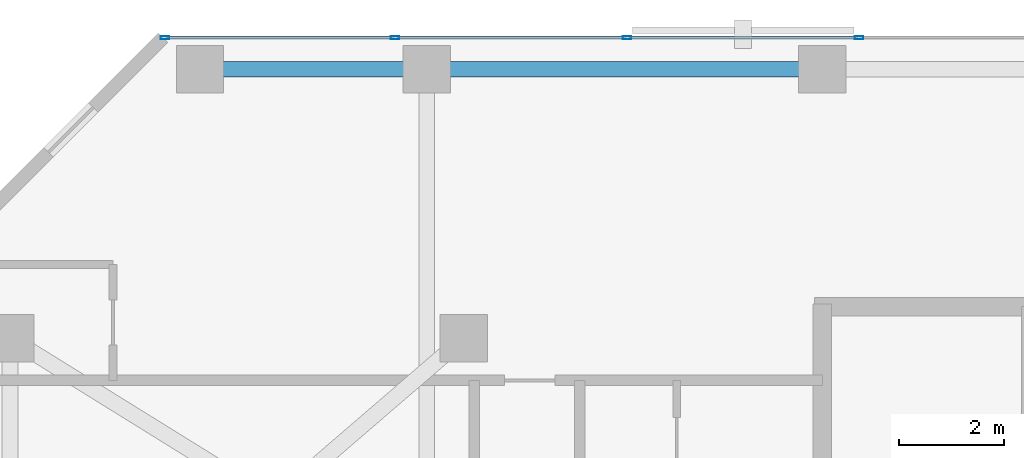
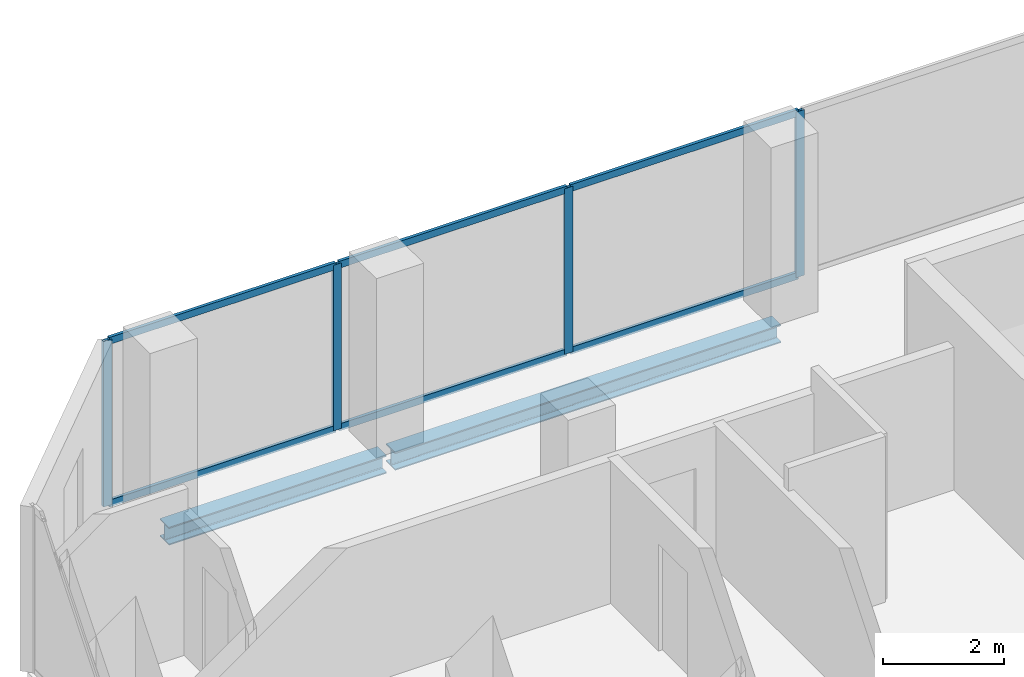
# One storey, part 19 of 34: 10 members, 2 beams, 1 element without a shape of its own.
"""IFC4 building model written with IfcOpenShell, lengths in metres."""

from ifc_helpers import new_model, si_unit, direction, frame, origin, origin_2d, place, context, subcontext, project, spatial, hollow_rectangle, i_section, extrude, material, layer, layer_set, material_profile, profile_set, type_object, element, aggregate, save


model = new_model("IFC4")

# Units and contexts
model_context = context("Model", 3, precision=1e-05, world=origin(), true_north=direction((0.0, 1.0)))
body_context = subcontext(model_context, "Body", "Model", "MODEL_VIEW")
ifc_project = project(units=[si_unit("LENGTHUNIT", "METRE"), si_unit("AREAUNIT", "SQUARE_METRE"), si_unit("VOLUMEUNIT", "CUBIC_METRE"), si_unit("PLANEANGLEUNIT", "RADIAN"), si_unit("MASSUNIT", "GRAM", prefix="KILO")], contexts=[model_context])

# Site, building, storey
site_placement = place(None, origin())
site = spatial("IfcSite", under=ifc_project, at=site_placement, CompositionType="ELEMENT")
building_placement = place(site_placement, origin())
building = spatial("IfcBuilding", under=site, at=building_placement, Name="Catumbela Crestline Tower", CompositionType="ELEMENT")
storey_placement = place(building_placement, frame((0.0, 0.0, 115.2)))
storey = spatial("IfcBuildingStorey", under=building, at=storey_placement, Name="L29", CompositionType="ELEMENT", Elevation=115.2)

# Curtain wall, members
ifc_material_1 = material(Name="Aluminium alloy AW-6060-T66", Category="aluminium")
ifc_layer = layer(ifc_material_1, 0.18, Name="Aluminium alloy AW-6060-T66")
ifc_layer_set = layer_set([ifc_layer], Name="Aluminium alloy AW-6060-T66")
curtain_wall_type = type_object("IfcCurtainWallType", Name="CWU-Z2", PredefinedType="USERDEFINED", material=ifc_layer_set)
curtain_wall_placement = place(storey_placement, origin())
curtain_wall = element("IfcCurtainWall", 1, at=curtain_wall_placement, inside=storey, type_object=curtain_wall_type, Name="L29 Unitised Curtain Wall CW-L29-E7S1", ObjectType="UNITISED", PredefinedType="USERDEFINED")
ifc_material_profile_1 = material_profile(ifc_material_1, hollow_rectangle(XDim=0.06, YDim=0.16, WallThickness=0.004, at=origin_2d()), Name="ALU 160x60x4")
ifc_profile_set_1 = profile_set([ifc_material_profile_1], Name="Aluminium alloy AW-6060-T66")
member_type_1 = type_object("IfcMemberType", Name="MUL-160X60", PredefinedType="MULLION", material=ifc_profile_set_1)
member_1_placement = place(storey_placement, frame((16.7, 48.0, 0.0), z_axis=(0.0, 0.0, 1.0), x_axis=(0.0, -1.0, 0.0)))
member_1 = element("IfcMember", 2, at=member_1_placement, type_object=member_type_1, Name="CWU-Z2 mullion 8", PredefinedType="MULLION", context=body_context, shape_type="SweptSolid", body=[
    extrude(hollow_rectangle(XDim=0.06, YDim=0.16, WallThickness=0.004, at=origin_2d()), origin(), (0.0, 0.0, 1.0), 3.33),
])
member_2_placement = place(storey_placement, frame((12.3, 48.0, 0.0), z_axis=(0.0, 0.0, 1.0), x_axis=(0.0, -1.0, 0.0)))
member_2 = element("IfcMember", 3, at=member_2_placement, type_object=member_type_1, Name="CWU-Z2 mullion 9", PredefinedType="MULLION", context=body_context, shape_type="SweptSolid", body=[
    extrude(hollow_rectangle(XDim=0.06, YDim=0.16, WallThickness=0.004, at=origin_2d()), origin(), (0.0, 0.0, 1.0), 3.33),
])
member_3_placement = place(storey_placement, frame((7.9, 48.0, 0.0), z_axis=(0.0, 0.0, 1.0), x_axis=(0.0, -1.0, 0.0)))
member_3 = element("IfcMember", 4, at=member_3_placement, type_object=member_type_1, Name="CWU-Z2 mullion 10", PredefinedType="MULLION", context=body_context, shape_type="SweptSolid", body=[
    extrude(hollow_rectangle(XDim=0.06, YDim=0.16, WallThickness=0.004, at=origin_2d()), origin(), (0.0, 0.0, 1.0), 3.33),
])
member_4_placement = place(storey_placement, frame((3.5325, 48.0, 0.0), z_axis=(0.0, 0.0, 1.0), x_axis=(0.0, -1.0, 0.0)))
member_4 = element("IfcMember", 5, at=member_4_placement, type_object=member_type_1, Name="CWU-Z2 mullion 11", PredefinedType="MULLION", context=body_context, shape_type="SweptSolid", body=[
    extrude(hollow_rectangle(XDim=0.06, YDim=0.16, WallThickness=0.004, at=origin_2d()), origin(), (0.0, 0.0, 1.0), 3.33),
])

# Beams
ifc_material_2 = material(Name="Structural steel S355J2", Category="steel")
ifc_material_profile_2 = material_profile(ifc_material_2, i_section(OverallWidth=0.3, OverallDepth=0.36, WebThickness=0.0125, FlangeThickness=0.0225, FilletRadius=0.027, at=origin_2d()), Name="HEB 360")
ifc_profile_set_2 = profile_set([ifc_material_profile_2], Name="Structural steel S355J2")
beam_type = type_object("IfcBeamType", Name="BS-HEB360", PredefinedType="SPANDREL", material=ifc_profile_set_2)
beam_1_placement = place(storey_placement, frame((4.28, 47.4, -0.44), z_axis=(1.0, 0.0, 0.0), x_axis=(0.0, 1.0, 0.0)))
element("IfcBeam", 6, at=beam_1_placement, inside=storey, type_object=beam_type, Name="L29 Spandrel SP-L29-NF17", PredefinedType="SPANDREL", context=body_context, shape_type="SweptSolid", body=[
    extrude(i_section(OverallWidth=0.3, OverallDepth=0.36, WebThickness=0.0125, FlangeThickness=0.0225, FilletRadius=0.027, at=origin_2d()), origin(), (0.0, 0.0, 1.0), 4.14),
])
beam_2_placement = place(storey_placement, frame((8.58, 47.4, -0.44), z_axis=(1.0, 0.0, 0.0), x_axis=(0.0, 1.0, 0.0)))
element("IfcBeam", 7, at=beam_2_placement, inside=storey, type_object=beam_type, Name="L29 Spandrel SP-L29-NF18", PredefinedType="SPANDREL", context=body_context, shape_type="SweptSolid", body=[
    extrude(i_section(OverallWidth=0.3, OverallDepth=0.36, WebThickness=0.0125, FlangeThickness=0.0225, FilletRadius=0.027, at=origin_2d()), origin(), (0.0, 0.0, 1.0), 7.34),
])

# Member
ifc_material_profile_3 = material_profile(ifc_material_1, hollow_rectangle(XDim=0.06, YDim=0.14, WallThickness=0.004, at=origin_2d()), Name="ALU 140x60x4")
ifc_profile_set_3 = profile_set([ifc_material_profile_3], Name="Aluminium alloy AW-6060-T66")
member_type_2 = type_object("IfcMemberType", Name="TRN-140X60", PredefinedType="USERDEFINED", material=ifc_profile_set_3)
member_5_placement = place(storey_placement, frame((16.6675, 48.0, 0.03), z_axis=(-1.0, 0.0, 0.0), x_axis=(0.0, -1.0, 0.0)))
member_5 = element("IfcMember", 8, at=member_5_placement, type_object=member_type_2, Name="CWU-Z2 transom 8.1", ObjectType="TRANSOM", PredefinedType="USERDEFINED", context=body_context, shape_type="SweptSolid", body=[
    extrude(hollow_rectangle(XDim=0.06, YDim=0.14, WallThickness=0.004, at=origin_2d()), origin(), (0.0, 0.0, 1.0), 4.335),
])

member_6_placement = place(storey_placement, frame((16.6675, 48.0, 3.3), z_axis=(-1.0, 0.0, 0.0), x_axis=(0.0, -1.0, 0.0)))
member_6 = element("IfcMember", 9, at=member_6_placement, type_object=member_type_2, Name="CWU-Z2 transom 8.2", ObjectType="TRANSOM", PredefinedType="USERDEFINED", context=body_context, shape_type="SweptSolid", body=[
    extrude(hollow_rectangle(XDim=0.06, YDim=0.14, WallThickness=0.004, at=origin_2d()), origin(), (0.0, 0.0, 1.0), 4.335),
])

member_7_placement = place(storey_placement, frame((12.2675, 48.0, 0.03), z_axis=(-1.0, 0.0, 0.0), x_axis=(0.0, -1.0, 0.0)))
member_7 = element("IfcMember", 10, at=member_7_placement, type_object=member_type_2, Name="CWU-Z2 transom 9.1", ObjectType="TRANSOM", PredefinedType="USERDEFINED", context=body_context, shape_type="SweptSolid", body=[
    extrude(hollow_rectangle(XDim=0.06, YDim=0.14, WallThickness=0.004, at=origin_2d()), origin(), (0.0, 0.0, 1.0), 4.335),
])

member_8_placement = place(storey_placement, frame((12.2675, 48.0, 3.3), z_axis=(-1.0, 0.0, 0.0), x_axis=(0.0, -1.0, 0.0)))
member_8 = element("IfcMember", 11, at=member_8_placement, type_object=member_type_2, Name="CWU-Z2 transom 9.2", ObjectType="TRANSOM", PredefinedType="USERDEFINED", context=body_context, shape_type="SweptSolid", body=[
    extrude(hollow_rectangle(XDim=0.06, YDim=0.14, WallThickness=0.004, at=origin_2d()), origin(), (0.0, 0.0, 1.0), 4.335),
])

member_9_placement = place(storey_placement, frame((7.8675, 48.0, 0.03), z_axis=(-1.0, 0.0, 0.0), x_axis=(0.0, -1.0, 0.0)))
member_9 = element("IfcMember", 12, at=member_9_placement, type_object=member_type_2, Name="CWU-Z2 transom 10.1", ObjectType="TRANSOM", PredefinedType="USERDEFINED", context=body_context, shape_type="SweptSolid", body=[
    extrude(hollow_rectangle(XDim=0.06, YDim=0.14, WallThickness=0.004, at=origin_2d()), origin(), (0.0, 0.0, 1.0), 4.3025),
])

member_10_placement = place(storey_placement, frame((7.8675, 48.0, 3.3), z_axis=(-1.0, 0.0, 0.0), x_axis=(0.0, -1.0, 0.0)))
member_10 = element("IfcMember", 13, at=member_10_placement, type_object=member_type_2, Name="CWU-Z2 transom 10.2", ObjectType="TRANSOM", PredefinedType="USERDEFINED", context=body_context, shape_type="SweptSolid", body=[
    extrude(hollow_rectangle(XDim=0.06, YDim=0.14, WallThickness=0.004, at=origin_2d()), origin(), (0.0, 0.0, 1.0), 4.3025),
])

aggregate(curtain_wall, [member_1, member_2, member_3, member_4, member_5, member_6, member_7, member_8, member_9, member_10])

save(model, "model.ifc")
